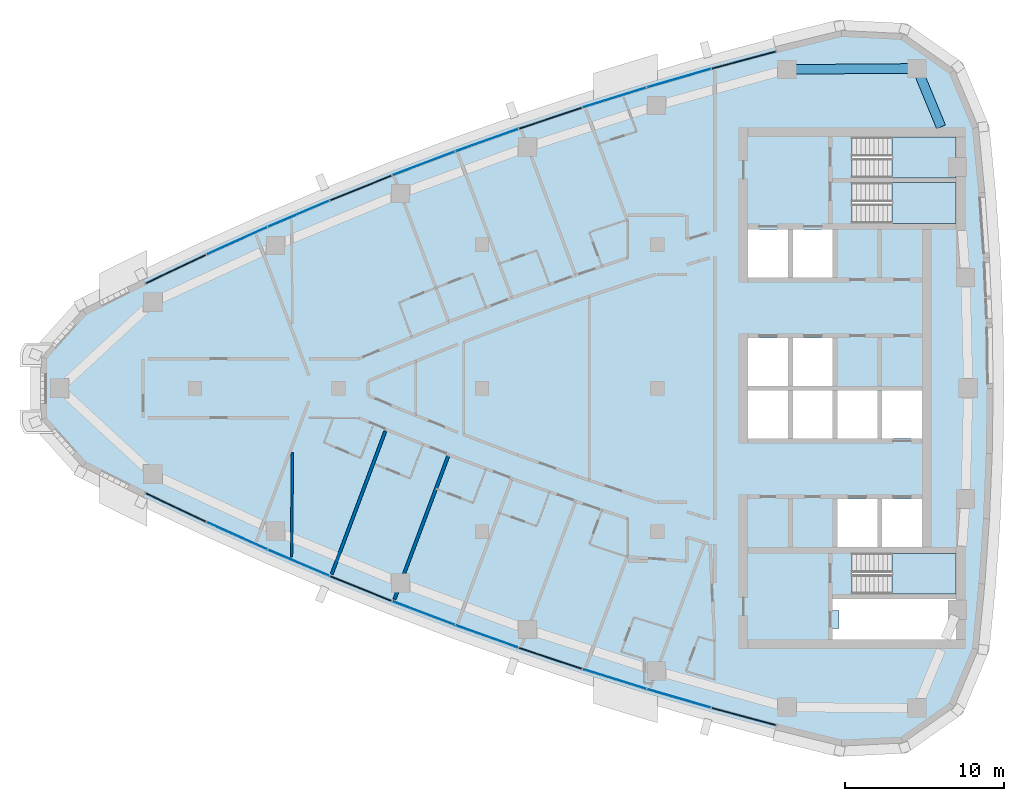
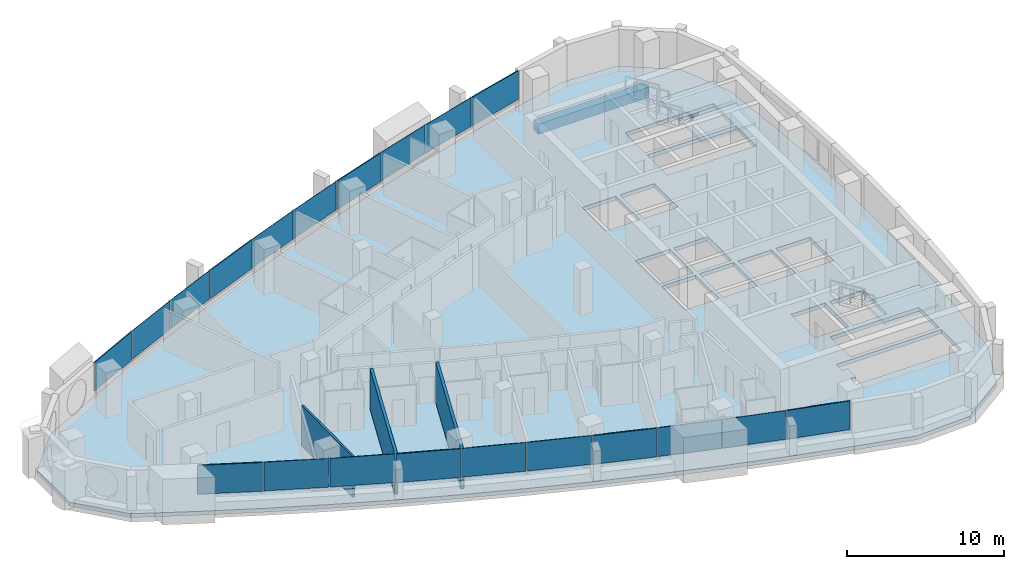
# One storey, part 7 of 16: 20 plates, 4 slabs, 3 walls, 2 beams, 1 opening, 13 elements without a shape of their own.
"""IFC4 building model written with IfcOpenShell, lengths in metres."""

from ifc_helpers import new_model, si_unit, direction, frame, frame_2d, origin, origin_2d, place, context, subcontext, project, spatial, polyline, rectangle, outline, extrude, material, layer, layer_set, material_profile, profile_set, type_object, element, aggregate, save


model = new_model("IFC4")

# Units and contexts
model_context = context("Model", 3, precision=1e-05, world=origin(), true_north=direction((0.0, 1.0)))
body_context = subcontext(model_context, "Body", "Model", "MODEL_VIEW")
ifc_project = project(units=[si_unit("LENGTHUNIT", "METRE"), si_unit("AREAUNIT", "SQUARE_METRE"), si_unit("VOLUMEUNIT", "CUBIC_METRE"), si_unit("PLANEANGLEUNIT", "RADIAN"), si_unit("MASSUNIT", "GRAM", prefix="KILO")], contexts=[model_context])

# Site, building, storey
site_placement = place(None, origin())
site = spatial("IfcSite", under=ifc_project, at=site_placement, CompositionType="ELEMENT")
building_placement = place(site_placement, origin())
building = spatial("IfcBuilding", under=site, at=building_placement, Name="Ostrand Prow Hotel Tower", CompositionType="ELEMENT")
storey_placement = place(building_placement, frame((0.0, 0.0, 252.75)))
storey = spatial("IfcBuildingStorey", under=building, at=storey_placement, Name="L64", CompositionType="ELEMENT", Elevation=252.75)

# Beams
ifc_material_1 = material(Name="Concrete C50/60", Category="concrete")
ifc_material_profile = material_profile(ifc_material_1, rectangle(XDim=0.60009765625, YDim=0.800048828125, at=origin_2d()), Name="RC 600x800")
ifc_profile_set = profile_set([ifc_material_profile], Name="Concrete C50/60")
beam_type = type_object("IfcBeamType", Name="Edge beam 600x800 C50/60", PredefinedType="SPANDREL", material=ifc_profile_set)
beam_1_placement = place(storey_placement, frame((62.7919921875, 16.39990234375, -0.699951171875), z_axis=(-0.380777709221, 0.924666608114, 0.0), x_axis=(-0.924666608114, -0.380777709221, 0.0)))
element("IfcBeam", 1, at=beam_1_placement, inside=storey, type_object=beam_type, Name="Edge beam B5-NE", PredefinedType="SPANDREL", context=body_context, shape_type="SweptSolid", body=[
    extrude(rectangle(XDim=0.60009765625, YDim=0.800048828125, at=origin_2d()), origin(), (0.0, 0.0, 1.0), 3.96044921875),
])
beam_2_placement = place(storey_placement, frame((61.283935546875, 20.06201171875, -0.699951171875), z_axis=(-0.999970657582, -0.007660546678, 0.0), x_axis=(0.007660546678, -0.999970657582, 0.0)))
element("IfcBeam", 2, at=beam_2_placement, inside=storey, type_object=beam_type, Name="Edge beam NE-N1", PredefinedType="SPANDREL", context=body_context, shape_type="SweptSolid", body=[
    extrude(rectangle(XDim=0.60009765625, YDim=0.800048828125, at=origin_2d()), origin(), (0.0, 0.0, 1.0), 8.15869140625),
])

# Curtain wall, plate
ifc_material_2 = material(Name="Insulated glass in bronze anodised frame", Category="glass")
ifc_layer_1 = layer(ifc_material_2, 0.199951171875)
ifc_layer_set_1 = layer_set([ifc_layer_1], Name="Insulated glass in bronze anodised frame")
curtain_wall_type = type_object("IfcCurtainWallType", Name="Strip curtain wall, fritted glass over bronze spandrel", PredefinedType="NOTDEFINED", material=ifc_layer_set_1)
curtain_wall_1_placement = place(storey_placement, origin())
curtain_wall_1 = element("IfcCurtainWall", 3, at=curtain_wall_1_placement, inside=storey, type_object=curtain_wall_type, Name="CW1 run CWS1", PredefinedType="NOTDEFINED")
ifc_material_3 = material(Name="Ceramic-fritted glass", Category="glass")
ifc_layer_2 = layer(ifc_material_3, 0.031982421875)
ifc_layer_set_2 = layer_set([ifc_layer_2], Name="Ceramic-fritted glass")
plate_type_1 = type_object("IfcPlateType", Name="Dot-fritted ceramic glass unit 32 mm", PredefinedType="CURTAIN_PANEL", material=ifc_layer_set_2)
plate_1_placement = place(storey_placement, frame((18.634521484375, -9.249267578125, 1.02001953125), z_axis=(0.0, 0.0, 1.0), x_axis=(0.911823681514, -0.41058199404, 0.0)))
plate_1 = element("IfcPlate", 4, at=plate_1_placement, type_object=plate_type_1, Name="CW1 PN-D panel 2.2", PredefinedType="CURTAIN_PANEL", context=body_context, shape_type="SweptSolid", body=[
    extrude(rectangle(XDim=4.163818359375, YDim=0.031982421875, at=origin_2d()), origin(), (0.0, 0.0, 1.0), 2.22998046875),
])

curtain_wall_2_placement = place(storey_placement, origin())
curtain_wall_2 = element("IfcCurtainWall", 5, at=curtain_wall_2_placement, inside=storey, type_object=curtain_wall_type, Name="CW1 run CWS2", PredefinedType="NOTDEFINED")
plate_2_placement = place(storey_placement, frame((22.502685546875, -10.944580078125, 1.02001953125), z_axis=(0.0, 0.0, 1.0), x_axis=(0.919907070112, -0.392136433347, 0.0)))
plate_2 = element("IfcPlate", 6, at=plate_2_placement, type_object=plate_type_1, Name="CW1 PN-D panel 1.2", PredefinedType="CURTAIN_PANEL", context=body_context, shape_type="SweptSolid", body=[
    extrude(rectangle(XDim=4.163818359375, YDim=0.031982421875, at=origin_2d()), origin(), (0.0, 0.0, 1.0), 2.22998046875),
])

# Curtain wall, plates
curtain_wall_3_placement = place(storey_placement, origin())
curtain_wall_3 = element("IfcCurtainWall", 7, at=curtain_wall_3_placement, inside=storey, type_object=curtain_wall_type, Name="CW1 run CWS3", PredefinedType="NOTDEFINED")
plate_3_placement = place(storey_placement, frame((30.337890625, -14.099609375, 1.02001953125), z_axis=(0.0, 0.0, 1.0), x_axis=(0.934950813567, -0.354777361469, 0.0)))
plate_3 = element("IfcPlate", 8, at=plate_3_placement, type_object=plate_type_1, Name="CW1 PN-D panel 1.2", PredefinedType="CURTAIN_PANEL", context=body_context, shape_type="SweptSolid", body=[
    extrude(rectangle(XDim=4.163818359375, YDim=0.031982421875, at=origin_2d()), origin(), (0.0, 0.0, 1.0), 2.22998046875),
])
plate_4_placement = place(storey_placement, frame((34.3017578125, -15.55810546875, 1.02001953125), z_axis=(0.0, 0.0, 1.0), x_axis=(0.941905718922, -0.335877383374, 0.0)))
plate_4 = element("IfcPlate", 9, at=plate_4_placement, type_object=plate_type_1, Name="CW1 PN-D panel 2.2", PredefinedType="CURTAIN_PANEL", context=body_context, shape_type="SweptSolid", body=[
    extrude(rectangle(XDim=4.163818359375, YDim=0.031982421875, at=origin_2d()), origin(), (0.0, 0.0, 1.0), 2.22998046875),
])
aggregate(curtain_wall_3, [plate_3, plate_4])

# Curtain wall, plate
curtain_wall_4_placement = place(storey_placement, origin())
curtain_wall_4 = element("IfcCurtainWall", 10, at=curtain_wall_4_placement, inside=storey, type_object=curtain_wall_type, Name="CW1 run CWS4", PredefinedType="NOTDEFINED")
plate_5_placement = place(storey_placement, frame((42.31298828125, -18.234375, 1.02001953125), z_axis=(0.0, 0.0, 1.0), x_axis=(0.95466629023, -0.297678138765, 0.0)))
plate_5 = element("IfcPlate", 11, at=plate_5_placement, type_object=plate_type_1, Name="CW1 PN-D panel 2.2", PredefinedType="CURTAIN_PANEL", context=body_context, shape_type="SweptSolid", body=[
    extrude(rectangle(XDim=4.163818359375, YDim=0.031982421875, at=origin_2d()), origin(), (0.0, 0.0, 1.0), 2.22998046875),
])

curtain_wall_5_placement = place(storey_placement, origin())
curtain_wall_5 = element("IfcCurtainWall", 12, at=curtain_wall_5_placement, inside=storey, type_object=curtain_wall_type, Name="CW1 run CWS5", PredefinedType="NOTDEFINED")
plate_6_placement = place(storey_placement, frame((46.357666015625, -19.450927734375, 1.02001953125), z_axis=(0.0, 0.0, 1.0), x_axis=(0.960467333745, -0.27839270969, 0.0)))
plate_6 = element("IfcPlate", 13, at=plate_6_placement, type_object=plate_type_1, Name="CW1 PN-D panel 1.2", PredefinedType="CURTAIN_PANEL", context=body_context, shape_type="SweptSolid", body=[
    extrude(rectangle(XDim=4.163818359375, YDim=0.031982421875, at=origin_2d()), origin(), (0.0, 0.0, 1.0), 2.22998046875),
])

curtain_wall_6_placement = place(storey_placement, origin())
curtain_wall_6 = element("IfcCurtainWall", 14, at=curtain_wall_6_placement, inside=storey, type_object=curtain_wall_type, Name="CW1 run CWN1", PredefinedType="NOTDEFINED")
plate_7_placement = place(storey_placement, frame((46.357666015625, 19.450927734375, 1.02001953125), z_axis=(0.0, 0.0, 1.0), x_axis=(-0.960467333745, -0.27839270969, 0.0)))
plate_7 = element("IfcPlate", 15, at=plate_7_placement, type_object=plate_type_1, Name="CW1 PN-D panel 2.2", PredefinedType="CURTAIN_PANEL", context=body_context, shape_type="SweptSolid", body=[
    extrude(rectangle(XDim=4.163818359375, YDim=0.031982421875, at=origin_2d()), origin(), (0.0, 0.0, 1.0), 2.22998046875),
])

curtain_wall_7_placement = place(storey_placement, origin())
curtain_wall_7 = element("IfcCurtainWall", 16, at=curtain_wall_7_placement, inside=storey, type_object=curtain_wall_type, Name="CW1 run CWN2", PredefinedType="NOTDEFINED")
plate_8_placement = place(storey_placement, frame((42.31298828125, 18.234375, 1.02001953125), z_axis=(0.0, 0.0, 1.0), x_axis=(-0.95466629023, -0.297678138765, 0.0)))
plate_8 = element("IfcPlate", 17, at=plate_8_placement, type_object=plate_type_1, Name="CW1 PN-D panel 1.2", PredefinedType="CURTAIN_PANEL", context=body_context, shape_type="SweptSolid", body=[
    extrude(rectangle(XDim=4.163818359375, YDim=0.031982421875, at=origin_2d()), origin(), (0.0, 0.0, 1.0), 2.22998046875),
])

# Curtain wall, plates
curtain_wall_8_placement = place(storey_placement, origin())
curtain_wall_8 = element("IfcCurtainWall", 18, at=curtain_wall_8_placement, inside=storey, type_object=curtain_wall_type, Name="CW1 run CWN3", PredefinedType="NOTDEFINED")
plate_9_placement = place(storey_placement, frame((34.3017578125, 15.55810546875, 1.02001953125), z_axis=(0.0, 0.0, 1.0), x_axis=(-0.941905718922, -0.335877383374, 0.0)))
plate_9 = element("IfcPlate", 19, at=plate_9_placement, type_object=plate_type_1, Name="CW1 PN-D panel 1.2", PredefinedType="CURTAIN_PANEL", context=body_context, shape_type="SweptSolid", body=[
    extrude(rectangle(XDim=4.163818359375, YDim=0.031982421875, at=origin_2d()), origin(), (0.0, 0.0, 1.0), 2.22998046875),
])
plate_10_placement = place(storey_placement, frame((30.337890625, 14.099609375, 1.02001953125), z_axis=(0.0, 0.0, 1.0), x_axis=(-0.934950813567, -0.354777361469, 0.0)))
plate_10 = element("IfcPlate", 20, at=plate_10_placement, type_object=plate_type_1, Name="CW1 PN-D panel 2.2", PredefinedType="CURTAIN_PANEL", context=body_context, shape_type="SweptSolid", body=[
    extrude(rectangle(XDim=4.163818359375, YDim=0.031982421875, at=origin_2d()), origin(), (0.0, 0.0, 1.0), 2.22998046875),
])
aggregate(curtain_wall_8, [plate_9, plate_10])

# Curtain wall, plate
curtain_wall_9_placement = place(storey_placement, origin())
curtain_wall_9 = element("IfcCurtainWall", 21, at=curtain_wall_9_placement, inside=storey, type_object=curtain_wall_type, Name="CW1 run CWN4", PredefinedType="NOTDEFINED")
plate_11_placement = place(storey_placement, frame((22.502685546875, 10.944580078125, 1.02001953125), z_axis=(0.0, 0.0, 1.0), x_axis=(-0.919907070112, -0.392136433347, 0.0)))
plate_11 = element("IfcPlate", 22, at=plate_11_placement, type_object=plate_type_1, Name="CW1 PN-D panel 2.2", PredefinedType="CURTAIN_PANEL", context=body_context, shape_type="SweptSolid", body=[
    extrude(rectangle(XDim=4.163818359375, YDim=0.031982421875, at=origin_2d()), origin(), (0.0, 0.0, 1.0), 2.22998046875),
])

curtain_wall_10_placement = place(storey_placement, origin())
curtain_wall_10 = element("IfcCurtainWall", 23, at=curtain_wall_10_placement, inside=storey, type_object=curtain_wall_type, Name="CW1 run CWN5", PredefinedType="NOTDEFINED")
plate_12_placement = place(storey_placement, frame((18.634521484375, 9.249267578125, 1.02001953125), z_axis=(0.0, 0.0, 1.0), x_axis=(-0.911823681514, -0.41058199404, 0.0)))
plate_12 = element("IfcPlate", 24, at=plate_12_placement, type_object=plate_type_1, Name="CW1 PN-D panel 1.2", PredefinedType="CURTAIN_PANEL", context=body_context, shape_type="SweptSolid", body=[
    extrude(rectangle(XDim=4.163818359375, YDim=0.031982421875, at=origin_2d()), origin(), (0.0, 0.0, 1.0), 2.22998046875),
])

# Plate
ifc_material_4 = material(Name="Fritted glass in bronze vent frame", Category="glass")
ifc_layer_3 = layer(ifc_material_4, 0.080078125)
ifc_layer_set_3 = layer_set([ifc_layer_3], Name="Fritted glass in bronze vent frame")
plate_type_2 = type_object("IfcPlateType", Name="Operable vent panel 80 mm", PredefinedType="CURTAIN_PANEL", material=ifc_layer_set_3)
plate_13_placement = place(storey_placement, frame((14.801025390625, -7.4765625, 1.02001953125), z_axis=(0.0, 0.0, 1.0), x_axis=(0.903370475577, -0.428861030937, 0.0)))
plate_13 = element("IfcPlate", 25, at=plate_13_placement, type_object=plate_type_2, Name="CW1 PN-O2 panel 1.2", PredefinedType="CURTAIN_PANEL", context=body_context, shape_type="SweptSolid", body=[
    extrude(rectangle(XDim=4.163818359375, YDim=0.080078125, at=origin_2d()), origin(), (0.0, 0.0, 1.0), 2.22998046875),
])

aggregate(curtain_wall_1, [plate_13, plate_1])

plate_14_placement = place(storey_placement, frame((26.404541015625, -12.5615234375, 1.02001953125), z_axis=(0.0, 0.0, 1.0), x_axis=(0.927616710972, -0.373533449004, 0.0)))
plate_14 = element("IfcPlate", 26, at=plate_14_placement, type_object=plate_type_2, Name="CW1 PN-O2 panel 2.2", PredefinedType="CURTAIN_PANEL", context=body_context, shape_type="SweptSolid", body=[
    extrude(rectangle(XDim=4.163818359375, YDim=0.080078125, at=origin_2d()), origin(), (0.0, 0.0, 1.0), 2.22998046875),
])

aggregate(curtain_wall_2, [plate_2, plate_14])

plate_15_placement = place(storey_placement, frame((38.2939453125, -16.9365234375, 1.02001953125), z_axis=(0.0, 0.0, 1.0), x_axis=(0.948478606268, -0.31684118017, 0.0)))
plate_15 = element("IfcPlate", 27, at=plate_15_placement, type_object=plate_type_2, Name="CW1 PN-O2 panel 1.2", PredefinedType="CURTAIN_PANEL", context=body_context, shape_type="SweptSolid", body=[
    extrude(rectangle(XDim=4.163818359375, YDim=0.080078125, at=origin_2d()), origin(), (0.0, 0.0, 1.0), 2.22998046875),
])

aggregate(curtain_wall_4, [plate_15, plate_5])

plate_16_placement = place(storey_placement, frame((50.42578125, -20.5859375, 1.02001953125), z_axis=(0.0, 0.0, 1.0), x_axis=(0.965878831034, -0.258994370132, 0.0)))
plate_16 = element("IfcPlate", 28, at=plate_16_placement, type_object=plate_type_2, Name="CW1 PN-O2 panel 2.2", PredefinedType="CURTAIN_PANEL", context=body_context, shape_type="SweptSolid", body=[
    extrude(rectangle(XDim=4.163818359375, YDim=0.080078125, at=origin_2d()), origin(), (0.0, 0.0, 1.0), 2.22998046875),
])

aggregate(curtain_wall_5, [plate_6, plate_16])

plate_17_placement = place(storey_placement, frame((50.42578125, 20.5859375, 1.02001953125), z_axis=(0.0, 0.0, 1.0), x_axis=(-0.965878831034, -0.258994370132, 0.0)))
plate_17 = element("IfcPlate", 29, at=plate_17_placement, type_object=plate_type_2, Name="CW1 PN-O2 panel 1.2", PredefinedType="CURTAIN_PANEL", context=body_context, shape_type="SweptSolid", body=[
    extrude(rectangle(XDim=4.163818359375, YDim=0.080078125, at=origin_2d()), origin(), (0.0, 0.0, 1.0), 2.22998046875),
])

aggregate(curtain_wall_6, [plate_17, plate_7])

plate_18_placement = place(storey_placement, frame((38.2939453125, 16.9365234375, 1.02001953125), z_axis=(0.0, 0.0, 1.0), x_axis=(-0.948478606268, -0.31684118017, 0.0)))
plate_18 = element("IfcPlate", 30, at=plate_18_placement, type_object=plate_type_2, Name="CW1 PN-O2 panel 2.2", PredefinedType="CURTAIN_PANEL", context=body_context, shape_type="SweptSolid", body=[
    extrude(rectangle(XDim=4.163818359375, YDim=0.080078125, at=origin_2d()), origin(), (0.0, 0.0, 1.0), 2.22998046875),
])

aggregate(curtain_wall_7, [plate_8, plate_18])

plate_19_placement = place(storey_placement, frame((26.404541015625, 12.5615234375, 1.02001953125), z_axis=(0.0, 0.0, 1.0), x_axis=(-0.927616710972, -0.373533449004, 0.0)))
plate_19 = element("IfcPlate", 31, at=plate_19_placement, type_object=plate_type_2, Name="CW1 PN-O2 panel 1.2", PredefinedType="CURTAIN_PANEL", context=body_context, shape_type="SweptSolid", body=[
    extrude(rectangle(XDim=4.163818359375, YDim=0.080078125, at=origin_2d()), origin(), (0.0, 0.0, 1.0), 2.22998046875),
])

aggregate(curtain_wall_9, [plate_19, plate_11])

plate_20_placement = place(storey_placement, frame((14.801025390625, 7.4765625, 1.02001953125), z_axis=(0.0, 0.0, 1.0), x_axis=(-0.903370475577, -0.428861030937, 0.0)))
plate_20 = element("IfcPlate", 32, at=plate_20_placement, type_object=plate_type_2, Name="CW1 PN-O2 panel 2.2", PredefinedType="CURTAIN_PANEL", context=body_context, shape_type="SweptSolid", body=[
    extrude(rectangle(XDim=4.163818359375, YDim=0.080078125, at=origin_2d()), origin(), (0.0, 0.0, 1.0), 2.22998046875),
])

aggregate(curtain_wall_10, [plate_12, plate_20])

# Slab, opening
ifc_material_5 = material(Name="Concrete C40/50", Category="concrete")
ifc_layer_4 = layer(ifc_material_5, 0.300048828125)
ifc_layer_set_4 = layer_set([ifc_layer_4], Name="Concrete C40/50")
slab_type_1 = type_object("IfcSlabType", Name="PT flat plate 300 C40/50", PredefinedType="FLOOR", material=ifc_layer_set_4)
slab_1_placement = place(storey_placement, frame((0.0, 0.0, -0.300048828125)))
slab_1 = element("IfcSlab", 33, at=slab_1_placement, inside=storey, type_object=slab_type_1, Name="Floor slab L64-1", PredefinedType="FLOOR", context=body_context, shape_type="SweptSolid", body=[
    extrude(outline(polyline([(8.85205078125, 5.097412109375), (12.679443359375, 7.009765625), (16.50390625, 8.825439453125), (20.364013671875, 10.563720703125), (24.258544921875, 12.223876953125), (28.185791015625, 13.80517578125), (32.143798828125, 15.30712890625), (36.131591796875, 16.72900390625), (40.14697265625, 18.0703125), (44.188720703125, 19.330810546875), (48.2548828125, 20.50927734375), (52.343994140625, 21.605712890625), (56.4873046875, 22.627685546875), (60.48193359375, 22.4287109375), (63.7822265625, 20.107177734375), (65.320068359375, 16.414794921875), (65.728515625, 12.29736328125), (66.018310546875, 8.20361328125), (66.19189453125, 4.103515625), (66.25, 0.0), (66.19189453125, -4.103515625), (66.018310546875, -8.20361328125), (65.728515625, -12.29736328125), (65.320068359375, -16.414794921875), (63.7822265625, -20.107177734375), (60.48193359375, -22.4287109375), (56.4873046875, -22.627685546875), (52.343994140625, -21.605712890625), (48.2548828125, -20.50927734375), (44.188720703125, -19.330810546875), (40.14697265625, -18.0703125), (36.131591796875, -16.72900390625), (32.143798828125, -15.30712890625), (28.185791015625, -13.80517578125), (24.258544921875, -12.223876953125), (20.364013671875, -10.563720703125), (16.50390625, -8.825439453125), (12.679443359375, -7.009765625), (8.85205078125, -5.097412109375), (6.127685546875, -2.06298828125), (6.127685546875, 2.06298828125), (8.85205078125, 5.097412109375)]), holes=[polyline([(50.699951171875, 6.949951171875), (53.199951171875, 6.949951171875), (53.199951171875, 9.949951171875), (50.699951171875, 9.949951171875), (50.699951171875, 6.949951171875)]), polyline([(53.5, 6.949951171875), (56.0, 6.949951171875), (56.0, 9.949951171875), (53.5, 9.949951171875), (53.5, 6.949951171875)]), polyline([(50.699951171875, 0.14990234375), (53.199951171875, 0.14990234375), (53.199951171875, 3.14990234375), (50.699951171875, 3.14990234375), (50.699951171875, 0.14990234375)]), polyline([(53.5, 0.14990234375), (56.0, 0.14990234375), (56.0, 3.14990234375), (53.5, 3.14990234375), (53.5, 0.14990234375)]), polyline([(50.699951171875, -3.14990234375), (53.199951171875, -3.14990234375), (53.199951171875, -0.14990234375), (50.699951171875, -0.14990234375), (50.699951171875, -3.14990234375)]), polyline([(53.5, -3.14990234375), (56.0, -3.14990234375), (56.0, -0.14990234375), (53.5, -0.14990234375), (53.5, -3.14990234375)]), polyline([(56.300048828125, -3.14990234375), (58.800048828125, -3.14990234375), (58.800048828125, -0.14990234375), (56.300048828125, -0.14990234375), (56.300048828125, -3.14990234375)]), polyline([(59.10009765625, -3.14990234375), (61.60009765625, -3.14990234375), (61.60009765625, -0.14990234375), (59.10009765625, -0.14990234375), (59.10009765625, -3.14990234375)]), polyline([(56.300048828125, -9.949951171875), (58.800048828125, -9.949951171875), (58.800048828125, -6.949951171875), (56.300048828125, -6.949951171875), (56.300048828125, -9.949951171875)]), polyline([(59.10009765625, -9.949951171875), (61.60009765625, -9.949951171875), (61.60009765625, -6.949951171875), (59.10009765625, -6.949951171875), (59.10009765625, -9.949951171875)]), polyline([(57.200927734375, 10.35107421875), (57.200927734375, 12.89892578125), (63.718994140625, 12.89892578125), (63.718994140625, 10.35107421875), (57.200927734375, 10.35107421875)]), polyline([(57.200927734375, 13.200927734375), (57.200927734375, 15.7490234375), (63.718994140625, 15.7490234375), (63.718994140625, 13.200927734375), (57.200927734375, 13.200927734375)]), polyline([(57.200927734375, -12.89892578125), (57.200927734375, -10.35107421875), (63.718994140625, -10.35107421875), (63.718994140625, -12.89892578125), (57.200927734375, -12.89892578125)]), polyline([(56.0, -13.949951171875), (56.0, -13.199951171875), (63.719970703125, -13.199951171875), (63.719970703125, -15.75), (56.0, -15.75), (56.0, -15.050048828125), (56.39990234375, -15.050048828125), (56.39990234375, -13.949951171875), (56.0, -13.949951171875)])]), origin(), (0.0, 0.0, 1.0), 0.300048828125),
])
opening_placement = place(slab_1_placement, origin())
element("IfcOpeningElement", 34, at=opening_placement, cuts=slab_1, Name="Shaft opening 1", PredefinedType="OPENING", context=body_context, shape_type="SweptSolid", body=[
    extrude(outline(polyline([(56.0, -13.949951171875), (56.0, -13.199951171875), (63.719970703125, -13.199951171875), (63.719970703125, -15.75), (56.0, -15.75), (56.0, -15.050048828125), (56.39990234375, -15.050048828125), (56.39990234375, -13.949951171875), (56.0, -13.949951171875)])), origin(), (0.0, 0.0, 1.0), 0.300048828125),
])

# Stair, slab
ifc_material_6 = material(Name="Concrete C40/50", Category="concrete")
stair_type = type_object("IfcStairType", Name="Exit stair 1200 upper zone", PredefinedType="HALF_TURN_STAIR", material=ifc_material_6)
stair_1_placement = place(storey_placement, origin())
stair_1 = element("IfcStair", 35, at=stair_1_placement, inside=storey, type_object=stair_type, Name="L64 ST1C", PredefinedType="HALF_TURN_STAIR")
ifc_material_7 = material(Name="Concrete C40/50", Category="concrete")
ifc_layer_5 = layer(ifc_material_7, 0.199951171875)
ifc_layer_set_5 = layer_set([ifc_layer_5], Name="Concrete C40/50")
slab_type_2 = type_object("IfcSlabType", Name="Stair landing 200 concrete", PredefinedType="LANDING", material=ifc_layer_set_5)
slab_2_placement = place(storey_placement, frame((0.0, 0.0, 1.574951171875)))
slab_2 = element("IfcSlab", 36, at=slab_2_placement, type_object=slab_type_2, Name="ST1C landing 1", PredefinedType="LANDING", context=body_context, shape_type="SweptSolid", body=[
    extrude(outline(polyline([(59.719970703125, 10.35009765625), (63.719970703125, 10.35009765625), (63.719970703125, 12.89990234375), (59.719970703125, 12.89990234375), (59.719970703125, 10.35009765625)])), origin(), (0.0, 0.0, 1.0), 0.199951171875),
])
aggregate(stair_1, [slab_2])

stair_2_placement = place(storey_placement, origin())
stair_2 = element("IfcStair", 37, at=stair_2_placement, inside=storey, type_object=stair_type, Name="L64 ST3C", PredefinedType="HALF_TURN_STAIR")
slab_3_placement = place(storey_placement, frame((0.0, 0.0, 1.574951171875)))
slab_3 = element("IfcSlab", 38, at=slab_3_placement, type_object=slab_type_2, Name="ST3C landing 1", PredefinedType="LANDING", context=body_context, shape_type="SweptSolid", body=[
    extrude(outline(polyline([(59.719970703125, 13.199951171875), (63.719970703125, 13.199951171875), (63.719970703125, 15.75), (59.719970703125, 15.75), (59.719970703125, 13.199951171875)])), origin(), (0.0, 0.0, 1.0), 0.199951171875),
])
aggregate(stair_2, [slab_3])

stair_3_placement = place(storey_placement, origin())
stair_3 = element("IfcStair", 39, at=stair_3_placement, inside=storey, type_object=stair_type, Name="L64 ST2C", PredefinedType="HALF_TURN_STAIR")
slab_4_placement = place(storey_placement, frame((0.0, 0.0, 1.574951171875)))
slab_4 = element("IfcSlab", 40, at=slab_4_placement, type_object=slab_type_2, Name="ST2C landing 1", PredefinedType="LANDING", context=body_context, shape_type="SweptSolid", body=[
    extrude(outline(polyline([(59.719970703125, -12.89990234375), (63.719970703125, -12.89990234375), (63.719970703125, -10.35009765625), (59.719970703125, -10.35009765625), (59.719970703125, -12.89990234375)])), origin(), (0.0, 0.0, 1.0), 0.199951171875),
])
aggregate(stair_3, [slab_4])

# Walls
ifc_material_8 = material(Name="Plasterboard partition")
ifc_layer_6 = layer(ifc_material_8, 0.14990234375)
ifc_layer_set_6 = layer_set([ifc_layer_6], Name="Plasterboard partition")
wall_type_1 = type_object("IfcWallType", Name="Partition 150 room partition", PredefinedType="PARTITIONING", material=ifc_layer_set_6)
wall_1_placement = place(storey_placement, frame((22.1123046875, -4.022705078125, 0.0), z_axis=(0.0, 0.0, 1.0), x_axis=(-0.008379594055, -0.999964890585, 0.0)))
element("IfcWall", 41, at=wall_1_placement, inside=storey, type_object=wall_type_1, Name="ROOM PARTITION", PredefinedType="PARTITIONING", context=body_context, shape_type="SweptSolid", body=[
    extrude(rectangle(XDim=6.555419921875, YDim=0.14990234375, at=frame_2d((3.27783203125, 0.0))), origin(), (0.0, 0.0, 1.0), 3.14990234375),
])
ifc_material_9 = material(Name="Plasterboard partition")
ifc_layer_7 = layer(ifc_material_9, 0.199951171875)
ifc_layer_set_7 = layer_set([ifc_layer_7], Name="Plasterboard partition")
wall_type_2 = type_object("IfcWallType", Name="Partition 200 key partition", PredefinedType="PARTITIONING", material=ifc_layer_set_7)
wall_2_placement = place(storey_placement, frame((24.577880859375, -11.651611328125, 0.0), z_axis=(0.0, 0.0, 1.0), x_axis=(0.351140219871, 0.936322885542, 0.0)))
element("IfcWall", 42, at=wall_2_placement, inside=storey, type_object=wall_type_2, Name="KEY PARTITION", PredefinedType="PARTITIONING", context=body_context, shape_type="SweptSolid", body=[
    extrude(rectangle(XDim=9.567626953125, YDim=0.199951171875, at=frame_2d((4.78369140625, 0.0))), origin(), (0.0, 0.0, 1.0), 3.14990234375),
])
wall_3_placement = place(storey_placement, frame((28.51416015625, -13.234619140625, 0.0), z_axis=(0.0, 0.0, 1.0), x_axis=(0.351126199585, 0.936328143316, 0.0)))
element("IfcWall", 43, at=wall_3_placement, inside=storey, type_object=wall_type_2, Name="KEY PARTITION", PredefinedType="PARTITIONING", context=body_context, shape_type="SweptSolid", body=[
    extrude(rectangle(XDim=9.700927734375, YDim=0.199951171875, at=frame_2d((4.8505859375, 0.0))), origin(), (0.0, 0.0, 1.0), 3.14990234375),
])

save(model, "model.ifc")
